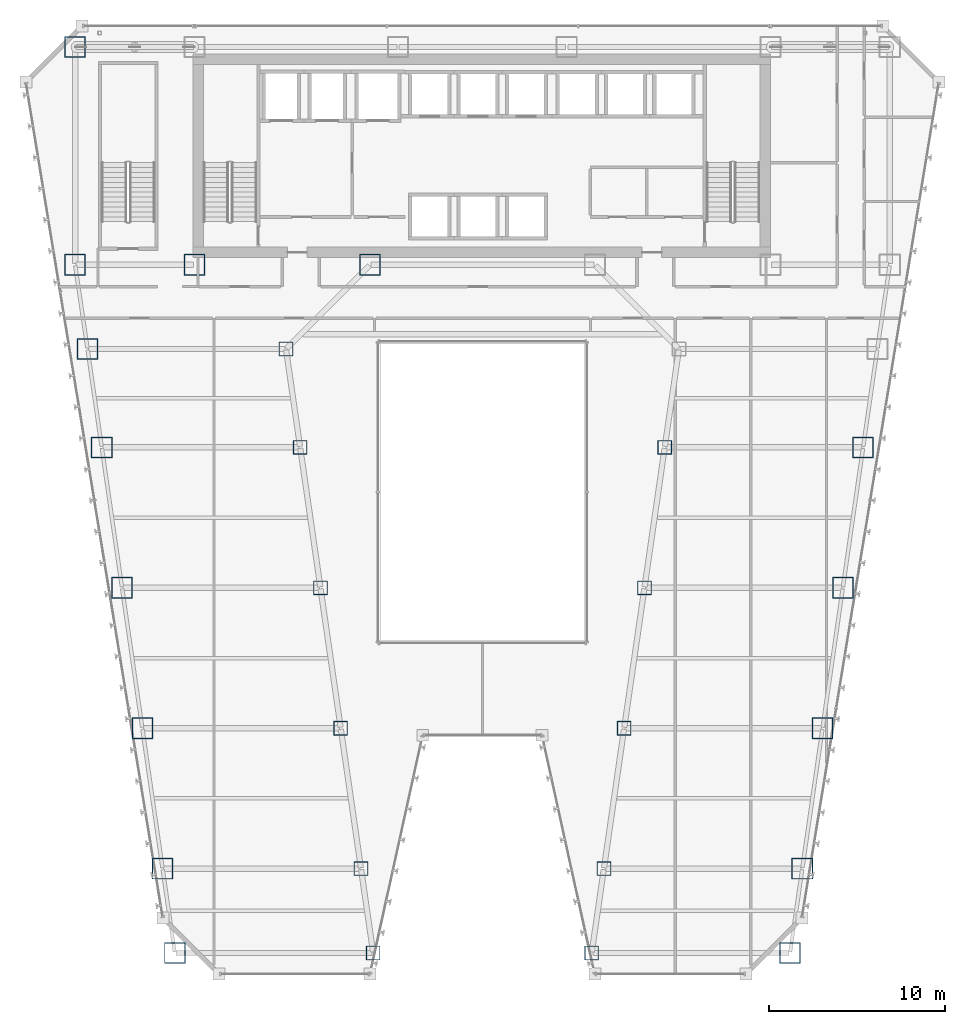
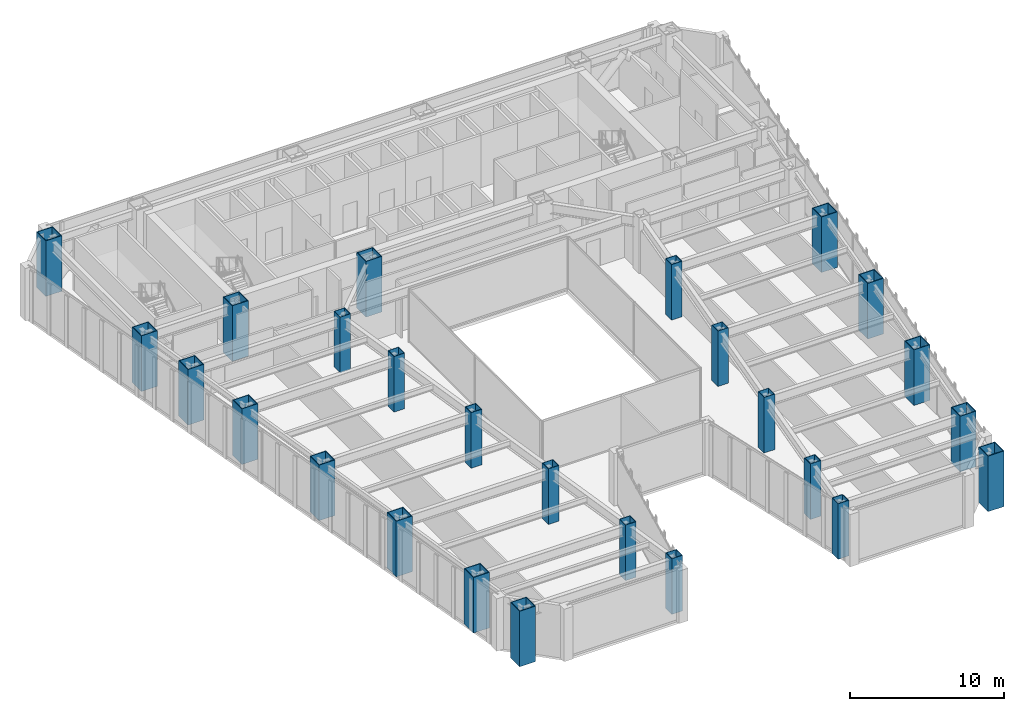
# One storey, part 1 of 47: 26 columns.
"""IFC4 building model written with IfcOpenShell, lengths in metres."""

from ifc_helpers import new_model, si_unit, direction, frame, origin, origin_2d, place, context, subcontext, project, spatial, hollow_rectangle, extrude, material, material_profile, profile_set, type_object, element, save


model = new_model("IFC4")

# Units and contexts
model_context = context("Model", 3, precision=1e-05, world=origin(), true_north=direction((0.0, 1.0)))
body_context = subcontext(model_context, "Body", "Model", "MODEL_VIEW")
ifc_project = project(units=[si_unit("LENGTHUNIT", "METRE"), si_unit("AREAUNIT", "SQUARE_METRE"), si_unit("VOLUMEUNIT", "CUBIC_METRE"), si_unit("PLANEANGLEUNIT", "RADIAN"), si_unit("MASSUNIT", "GRAM", prefix="KILO")], contexts=[model_context])

# Site, building, storey
site_placement = place(None, origin())
site = spatial("IfcSite", under=ifc_project, at=site_placement, CompositionType="ELEMENT")
building_placement = place(site_placement, origin())
building = spatial("IfcBuilding", under=site, at=building_placement, Name="Saevonmaru Cultural Tower", CompositionType="ELEMENT")
storey_placement = place(building_placement, frame((0.0, 0.0, 64.800048828125)))
storey = spatial("IfcBuildingStorey", under=building, at=storey_placement, Name="L13", CompositionType="ELEMENT", Elevation=64.800048828125)

# Columns
ifc_material_1 = material(Name="Steel HSA600 (600 MPa)", Category="steel")
ifc_material_profile_1 = material_profile(ifc_material_1, hollow_rectangle(XDim=1.199951171875, YDim=1.199951171875, WallThickness=0.054931640625, at=origin_2d()), Name="BOX-1200x1200x55")
ifc_profile_set_1 = profile_set([ifc_material_profile_1], Name="Steel HSA600 (600 MPa)")
column_type_1 = type_object("IfcColumnType", Name="COL-BOX-1200", PredefinedType="COLUMN", material=ifc_profile_set_1)
for number, where, z_axis, x_axis, name in (
    (1, (6.800048828125, 54.800048828125, 0.0), (0.0, 0.0, 1.0), (1.0, 0.0, 0.0), "L13 Column TC-N1N"),
    (2, (6.800048828125, 42.39990234375, 0.0), (0.0, 0.0, 1.0), (1.0, 0.0, 0.0), "L13 Column TC-S1C"),
    (3, (13.60009765625, 42.39990234375, 0.0), (0.0, 0.0, 1.0), (1.0, 0.0, 0.0), "L13 Column TC-S2C"),
    (4, (23.60009765625, 42.39990234375, 0.0), (0.0, 0.0, 1.0), (1.0, 0.0, 0.0), "L13 Column TC-S3C"),
    (5, (12.47705078125, 3.199951171875, 0.0), (0.0, 0.0, 1.0), (1.0, 0.0, 0.0), "L13 Column TC-WO-Y032"),
    (6, (47.52294921875, 3.199951171875, 0.0), (0.0, 0.0, 1.0), (1.0, 0.0, 0.0), "L13 Column TC-EO-Y032"),
    (7, (11.782958984375, 8.0, 0.0), (0.0, 0.0, 1.0), (1.0, 0.0, 0.0), "L13 Column TC-WO-Y080"),
    (8, (48.217041015625, 8.0, 0.0), (0.0, 0.0, 1.0), (1.0, 0.0, 0.0), "L13 Column TC-EO-Y080"),
    (9, (10.6279296875, 16.0, 0.0), (0.0, 0.0, 1.0), (1.0, 0.0, 0.0), "L13 Column TC-WO-Y160"),
    (10, (49.3720703125, 16.0, 0.0), (0.0, 0.0, 1.0), (1.0, 0.0, 0.0), "L13 Column TC-EO-Y160"),
    (11, (9.471923828125, 24.0, 0.0), (0.0, 0.0, 1.0), (1.0, 0.0, 0.0), "L13 Column TC-WO-Y240"),
    (12, (50.528076171875, 24.0, 0.0), (0.0, 0.0, 1.0), (1.0, 0.0, 0.0), "L13 Column TC-EO-Y240"),
    (13, (8.31689453125, 32.0, 0.0), (0.0, 0.0, 1.0), (1.0, 0.0, 0.0), "L13 Column TC-WO-Y320"),
    (14, (51.68310546875, 32.0, 0.0), (0.0, 0.0, 1.0), (1.0, 0.0, 0.0), "L13 Column TC-EO-Y320"),
    (15, (7.508056640625, 37.60009765625, 0.0), (0.0, 0.0, 1.0), (1.0, 0.0, 0.0), "L13 Column TC-WO-Y376"),
):
    element("IfcColumn", number, at=place(storey_placement, frame(where, z_axis=z_axis, x_axis=x_axis)), inside=storey, type_object=column_type_1, Name=name, PredefinedType="COLUMN", context=body_context, shape_type="SweptSolid", body=[
        extrude(hollow_rectangle(XDim=1.199951171875, YDim=1.199951171875, WallThickness=0.054931640625, at=origin_2d()), origin(), (0.0, 0.0, 1.0), 4.39990234375),
    ])
ifc_material_2 = material(Name="Steel SM420", Category="steel")
ifc_material_profile_2 = material_profile(ifc_material_2, hollow_rectangle(XDim=0.800048828125, YDim=0.800048828125, WallThickness=0.035888671875, at=origin_2d()), Name="BOX-800x800x36")
ifc_profile_set_2 = profile_set([ifc_material_profile_2], Name="Steel SM420")
column_type_2 = type_object("IfcColumnType", Name="COL-BOX-800", PredefinedType="COLUMN", material=ifc_profile_set_2)
for number, where, z_axis, x_axis, name in (
    (16, (23.777099609375, 3.199951171875, 0.0), (0.0, 0.0, 1.0), (1.0, 0.0, 0.0), "L13 Column TC-WI-Y032"),
    (17, (36.222900390625, 3.199951171875, 0.0), (0.0, 0.0, 1.0), (1.0, 0.0, 0.0), "L13 Column TC-EI-Y032"),
    (18, (23.0830078125, 8.0, 0.0), (0.0, 0.0, 1.0), (1.0, 0.0, 0.0), "L13 Column TC-WI-Y080"),
    (19, (36.9169921875, 8.0, 0.0), (0.0, 0.0, 1.0), (1.0, 0.0, 0.0), "L13 Column TC-EI-Y080"),
    (20, (21.927978515625, 16.0, 0.0), (0.0, 0.0, 1.0), (1.0, 0.0, 0.0), "L13 Column TC-WI-Y160"),
    (21, (38.072021484375, 16.0, 0.0), (0.0, 0.0, 1.0), (1.0, 0.0, 0.0), "L13 Column TC-EI-Y160"),
    (22, (20.77197265625, 24.0, 0.0), (0.0, 0.0, 1.0), (1.0, 0.0, 0.0), "L13 Column TC-WI-Y240"),
    (23, (39.22802734375, 24.0, 0.0), (0.0, 0.0, 1.0), (1.0, 0.0, 0.0), "L13 Column TC-EI-Y240"),
    (24, (19.616943359375, 32.0, 0.0), (0.0, 0.0, 1.0), (1.0, 0.0, 0.0), "L13 Column TC-WI-Y320"),
    (25, (40.383056640625, 32.0, 0.0), (0.0, 0.0, 1.0), (1.0, 0.0, 0.0), "L13 Column TC-EI-Y320"),
    (26, (18.80810546875, 37.60009765625, 0.0), (0.0, 0.0, 1.0), (1.0, 0.0, 0.0), "L13 Column TC-WI-Y376"),
):
    element("IfcColumn", number, at=place(storey_placement, frame(where, z_axis=z_axis, x_axis=x_axis)), inside=storey, type_object=column_type_2, Name=name, PredefinedType="COLUMN", context=body_context, shape_type="SweptSolid", body=[
        extrude(hollow_rectangle(XDim=0.800048828125, YDim=0.800048828125, WallThickness=0.035888671875, at=origin_2d()), origin(), (0.0, 0.0, 1.0), 4.39990234375),
    ])

save(model, "model.ifc")
